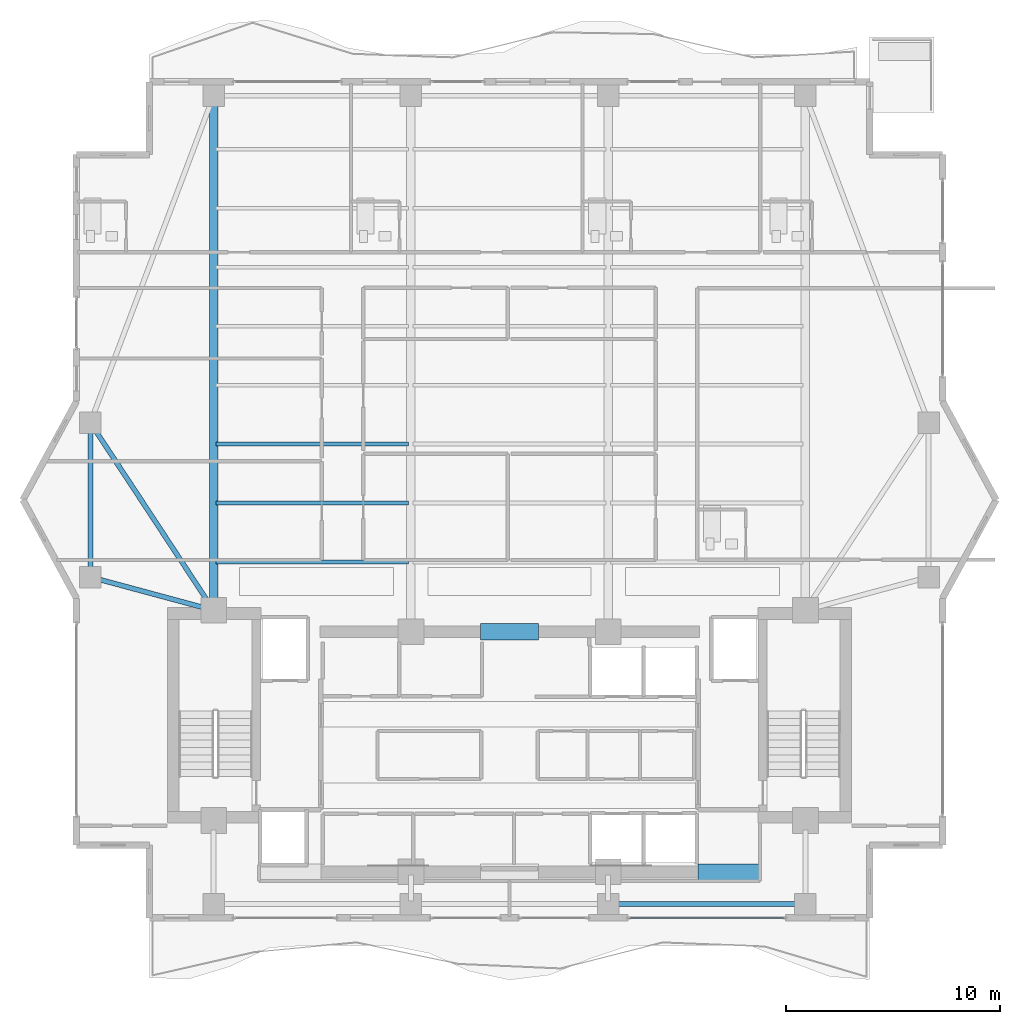
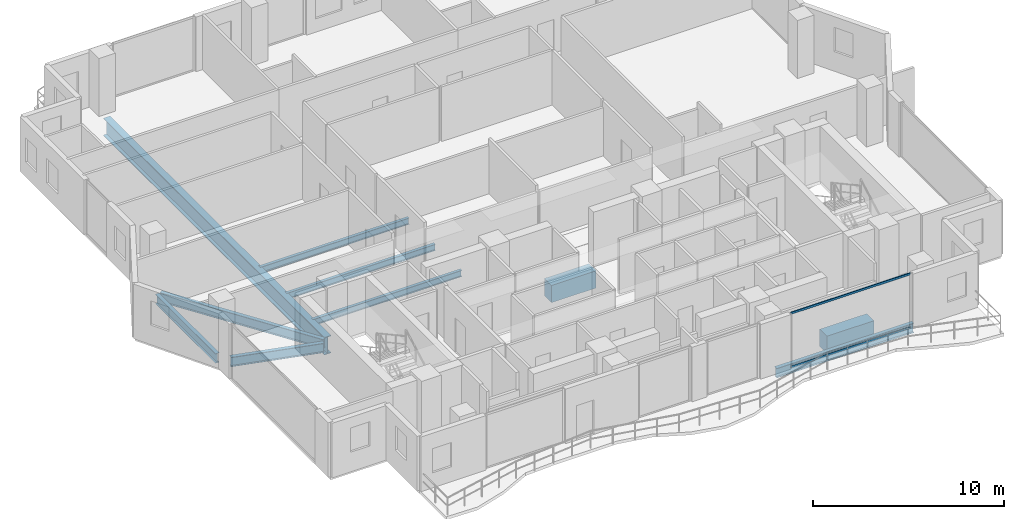
# One storey, part 5 of 24: 10 beams, 2 members, 1 element without a shape of its own.
"""IFC4 building model written with IfcOpenShell, lengths in metres."""

from ifc_helpers import new_model, si_unit, direction, frame, origin, origin_2d, place, context, subcontext, project, spatial, rectangle, hollow_rectangle, i_section, extrude, material, layer, layer_set, material_profile, profile_set, type_object, element, aggregate, save


model = new_model("IFC4")

# Units and contexts
model_context = context("Model", 3, precision=1e-05, world=origin(), true_north=direction((0.0, 1.0)))
body_context = subcontext(model_context, "Body", "Model", "MODEL_VIEW")
ifc_project = project(units=[si_unit("LENGTHUNIT", "METRE"), si_unit("AREAUNIT", "SQUARE_METRE"), si_unit("VOLUMEUNIT", "CUBIC_METRE"), si_unit("PLANEANGLEUNIT", "RADIAN"), si_unit("MASSUNIT", "GRAM", prefix="KILO")], contexts=[model_context])

# Site, building, storey
site_placement = place(None, origin())
site = spatial("IfcSite", under=ifc_project, at=site_placement, CompositionType="ELEMENT")
building_placement = place(site_placement, origin())
building = spatial("IfcBuilding", under=site, at=building_placement, Name="Zuhayl Quay Hotel", CompositionType="ELEMENT")
storey_placement = place(building_placement, frame((0.0, 0.0, 269.25)))
storey = spatial("IfcBuildingStorey", under=building, at=storey_placement, Name="L68", CompositionType="ELEMENT", Elevation=269.25)

# Beams
ifc_material_1 = material(Name="Steel ASTM A992 Grade 50", Category="steel")
ifc_material_profile_1 = material_profile(ifc_material_1, i_section(OverallWidth=0.22802734375, OverallDepth=0.60693359375, WebThickness=0.01123046875, FlangeThickness=0.017333984375, at=origin_2d()), Name="W24X76")
ifc_profile_set_1 = profile_set([ifc_material_profile_1], Name="Steel ASTM A992 Grade 50")
beam_type_1 = type_object("IfcBeamType", Name="BM_B3_W24X76", PredefinedType="BEAM", material=ifc_profile_set_1)
beam_1_placement = place(storey_placement, frame((5.06005859375, 0.64990234375, -0.5234375), z_axis=(1.0, 0.0, 0.0), x_axis=(0.0, 1.0, 0.0)))
element("IfcBeam", 1, at=beam_1_placement, inside=storey, type_object=beam_type_1, Name="L68 Floor Beam RG_L68_03", PredefinedType="BEAM", context=body_context, shape_type="SweptSolid", body=[
    extrude(i_section(OverallWidth=0.22802734375, OverallDepth=0.60693359375, WebThickness=0.01123046875, FlangeThickness=0.017333984375, at=origin_2d()), origin(), (0.0, 0.0, 1.0), 8.280029296875),
])
beam_2_placement = place(storey_placement, frame((-19.550048828125, 22.639892578125, -0.5234375), z_axis=(0.0, -1.0, 0.0), x_axis=(1.0, 0.0, 0.0)))
element("IfcBeam", 2, at=beam_2_placement, inside=storey, type_object=beam_type_1, Name="L68 Floor Beam RG_L68_11", PredefinedType="BEAM", context=body_context, shape_type="SweptSolid", body=[
    extrude(i_section(OverallWidth=0.22802734375, OverallDepth=0.60693359375, WebThickness=0.01123046875, FlangeThickness=0.017333984375, at=origin_2d()), origin(), (0.0, 0.0, 1.0), 6.27978515625),
])
beam_3_placement = place(storey_placement, frame((-19.10595703125, 15.7802734375, -0.5234375), z_axis=(0.965530205773, -0.26029103277, 0.0), x_axis=(0.26029103277, 0.965530205773, 0.0)))
element("IfcBeam", 3, at=beam_3_placement, inside=storey, type_object=beam_type_1, Name="L68 Floor Beam FG_W_L68_1", PredefinedType="BEAM", context=body_context, shape_type="SweptSolid", body=[
    extrude(i_section(OverallWidth=0.22802734375, OverallDepth=0.60693359375, WebThickness=0.01123046875, FlangeThickness=0.017333984375, at=origin_2d()), origin(), (0.0, 0.0, 1.0), 5.045166015625),
])
beam_4_placement = place(storey_placement, frame((-19.29736328125, 22.715576171875, -0.5234375), z_axis=(0.549177886661, -0.835705479701, 0.0), x_axis=(0.835705479701, 0.549177886661, 0.0)))
element("IfcBeam", 4, at=beam_4_placement, inside=storey, type_object=beam_type_1, Name="L68 Floor Beam FG_W_L68_2", PredefinedType="BEAM", context=body_context, shape_type="SweptSolid", body=[
    extrude(i_section(OverallWidth=0.22802734375, OverallDepth=0.60693359375, WebThickness=0.01123046875, FlangeThickness=0.017333984375, at=origin_2d()), origin(), (0.0, 0.0, 1.0), 9.560302734375),
])
ifc_material_2 = material(Name="Concrete C60/75", Category="concrete")
ifc_material_profile_2 = material_profile(ifc_material_2, rectangle(XDim=0.75, YDim=1.10009765625, at=origin_2d()), Name="RC750X1100")
ifc_profile_set_2 = profile_set([ifc_material_profile_2], Name="Concrete C60/75")
beam_type_2 = type_object("IfcBeamType", Name="BM_CB2_RC750", PredefinedType="T_BEAM", material=ifc_profile_set_2)
beam_5_placement = place(storey_placement, frame((8.800048828125, 2.14990234375, -0.77001953125), z_axis=(1.0, 0.0, 0.0), x_axis=(0.0, 1.0, 0.0)))
element("IfcBeam", 5, at=beam_5_placement, inside=storey, type_object=beam_type_2, Name="L68 Core Coupling Beam SE", PredefinedType="T_BEAM", context=body_context, shape_type="SweptSolid", body=[
    extrude(rectangle(XDim=0.75, YDim=1.10009765625, at=origin_2d()), origin(), (0.0, 0.0, 1.0), 2.849853515625),
])
beam_6_placement = place(storey_placement, frame((-1.35009765625, 13.35009765625, -0.77001953125), z_axis=(1.0, 0.0, 0.0), x_axis=(0.0, 1.0, 0.0)))
element("IfcBeam", 6, at=beam_6_placement, inside=storey, type_object=beam_type_2, Name="L68 Core Coupling Beam North", PredefinedType="T_BEAM", context=body_context, shape_type="SweptSolid", body=[
    extrude(rectangle(XDim=0.75, YDim=1.10009765625, at=origin_2d()), origin(), (0.0, 0.0, 1.0), 2.7001953125),
])
ifc_material_profile_3 = material_profile(ifc_material_1, i_section(OverallWidth=0.177978515625, OverallDepth=0.404052734375, WebThickness=0.007568359375, FlangeThickness=0.010986328125, at=origin_2d()), Name="W16X36")
ifc_profile_set_3 = profile_set([ifc_material_profile_3], Name="Steel ASTM A992 Grade 50")
beam_type_3 = type_object("IfcBeamType", Name="BM_J3_W16X36", PredefinedType="JOIST", material=ifc_profile_set_3)
for number, where, z_axis, x_axis, name in (
    (7, (-13.694091796875, 16.60009765625, -0.422119140625), (1.0, 0.0, 0.0), (0.0, 1.0, 0.0), "L68 Floor Beam FJ_L68_1_1"),
    (8, (-13.694091796875, 19.35009765625, -0.422119140625), (1.0, 0.0, 0.0), (0.0, 1.0, 0.0), "L68 Floor Beam FJ_L68_2_1"),
    (9, (-13.694091796875, 22.10009765625, -0.422119140625), (1.0, 0.0, 0.0), (0.0, 1.0, 0.0), "L68 Floor Beam FJ_L68_3_1"),
):
    element("IfcBeam", number, at=place(storey_placement, frame(where, z_axis=z_axis, x_axis=x_axis)), inside=storey, type_object=beam_type_3, Name=name, PredefinedType="JOIST", context=body_context, shape_type="SweptSolid", body=[
        extrude(i_section(OverallWidth=0.177978515625, OverallDepth=0.404052734375, WebThickness=0.007568359375, FlangeThickness=0.010986328125, at=origin_2d()), origin(), (0.0, 0.0, 1.0), 8.988037109375),
    ])
ifc_material_3 = material(Name="Steel ASTM A913 Grade 65", Category="steel")
ifc_material_profile_4 = material_profile(ifc_material_3, i_section(OverallWidth=0.404052734375, OverallDepth=1.117919921875, WebThickness=0.026123046875, FlangeThickness=0.044921875, at=origin_2d()), Name="W44X335")
ifc_profile_set_4 = profile_set([ifc_material_profile_4], Name="Steel ASTM A913 Grade 65")
beam_type_4 = type_object("IfcBeamType", Name="BM_TG1_W44X335", PredefinedType="BEAM", material=ifc_profile_set_4)
beam_7_placement = place(storey_placement, frame((-13.800048828125, 14.800048828125, -0.779052734375), z_axis=(0.0, 1.0, 0.0), x_axis=(-1.0, 0.0, 0.0)))
element("IfcBeam", 10, at=beam_7_placement, inside=storey, type_object=beam_type_4, Name="L68 Floor Beam FG_N_L68_1", PredefinedType="BEAM", context=body_context, shape_type="SweptSolid", body=[
    extrude(i_section(OverallWidth=0.404052734375, OverallDepth=1.117919921875, WebThickness=0.026123046875, FlangeThickness=0.044921875, at=origin_2d()), origin(), (0.0, 0.0, 1.0), 23.08984375),
])

# Curtain wall, members
ifc_material_4 = material(Name="Anodised Aluminium 6063-T6", Category="aluminium")
ifc_layer = layer(ifc_material_4, 0.169921875, Name="Anodised Aluminium 6063-T6", Category="aluminium")
ifc_layer_set = layer_set([ifc_layer], Name="Anodised Aluminium 6063-T6")
curtain_wall_type = type_object("IfcCurtainWallType", Name="CW_SYS_Z4", PredefinedType="USERDEFINED", material=ifc_layer_set)
curtain_wall_placement = place(storey_placement, origin())
curtain_wall = element("IfcCurtainWall", 11, at=curtain_wall_placement, inside=storey, type_object=curtain_wall_type, Name="L68 Curtain Wall ENV_L68_S_CW1", ObjectType="UNITISED CURTAIN WALL", PredefinedType="USERDEFINED")
ifc_material_5 = material(Name="Black-anodised aluminium 6063-T6", Category="aluminium")
ifc_material_profile_5 = material_profile(ifc_material_5, hollow_rectangle(XDim=0.054931640625, YDim=0.1298828125, WallThickness=0.0029296875, at=origin_2d()), Name="ALU130X55")
ifc_profile_set_5 = profile_set([ifc_material_profile_5], Name="Black-anodised aluminium 6063-T6")
member_type = type_object("IfcMemberType", Name="MB_CW_TRN_130", PredefinedType="USERDEFINED", material=ifc_profile_set_5)
member_1_placement = place(storey_placement, frame((12.81494140625, 0.0, 0.027587890625), z_axis=(-1.0, 0.0, 0.0), x_axis=(0.0, -1.0, 0.0)))
member_1 = element("IfcMember", 12, at=member_1_placement, type_object=member_type, Name="CW-Z4 transom 1.1", ObjectType="TRANSOM", PredefinedType="USERDEFINED", context=body_context, shape_type="SweptSolid", body=[
    extrude(hollow_rectangle(XDim=0.054931640625, YDim=0.1298828125, WallThickness=0.0029296875, at=origin_2d()), origin(), (0.0, 0.0, 1.0), 7.22998046875),
])
member_2_placement = place(storey_placement, frame((12.81494140625, 0.0, 3.452392578125), z_axis=(-1.0, 0.0, 0.0), x_axis=(0.0, -1.0, 0.0)))
member_2 = element("IfcMember", 13, at=member_2_placement, type_object=member_type, Name="CW-Z4 transom 1.2", ObjectType="TRANSOM", PredefinedType="USERDEFINED", context=body_context, shape_type="SweptSolid", body=[
    extrude(hollow_rectangle(XDim=0.054931640625, YDim=0.1298828125, WallThickness=0.0029296875, at=origin_2d()), origin(), (0.0, 0.0, 1.0), 7.22998046875),
])
aggregate(curtain_wall, [member_1, member_2])

save(model, "model.ifc")
